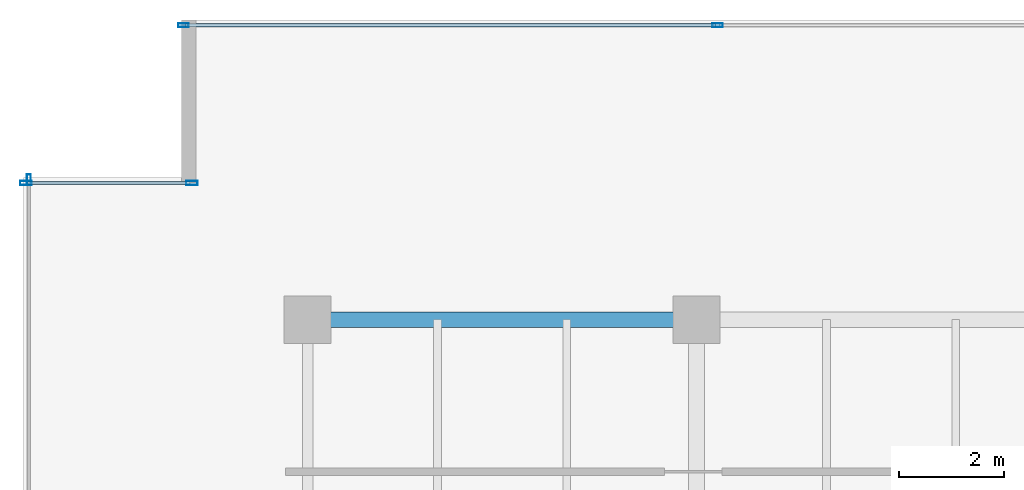
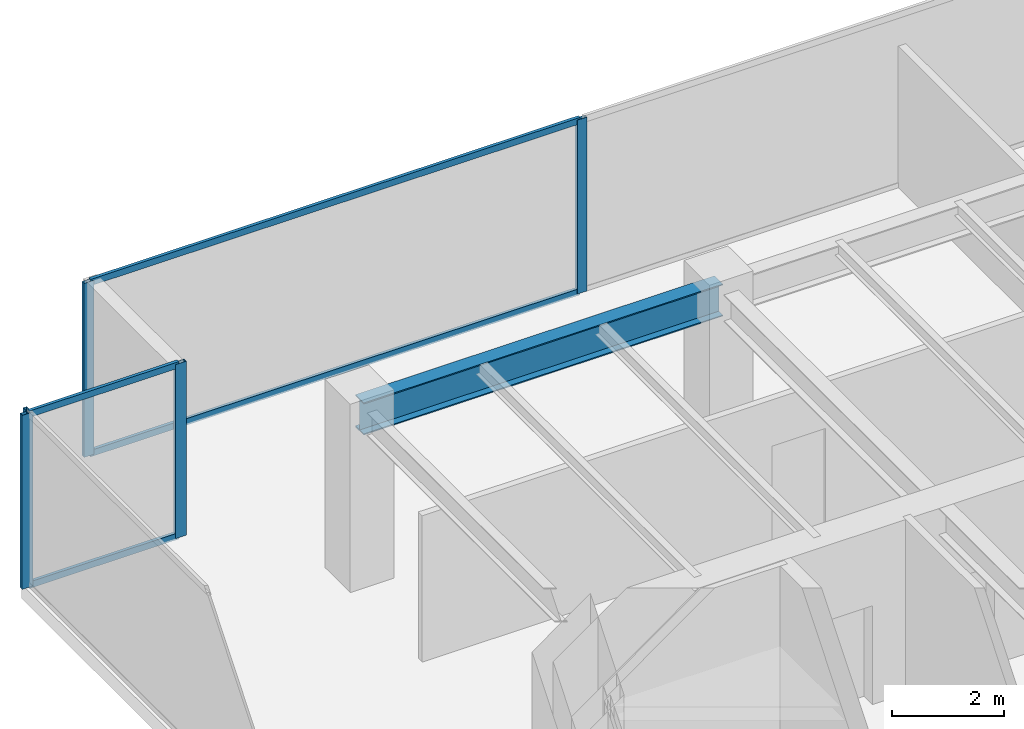
# One storey, part 14 of 30: 9 members, 1 beam, 3 elements without a shape of their own.
"""IFC4 building model written with IfcOpenShell, lengths in metres."""

from ifc_helpers import new_model, si_unit, direction, frame, origin, origin_2d, place, context, subcontext, project, spatial, hollow_rectangle, i_section, extrude, source, transform, mapped, material, layer, layer_set, material_profile, profile_set, type_object, type_shapes, element, aggregate, save


model = new_model("IFC4")

# Units and contexts
model_context = context("Model", 3, precision=1e-05, world=origin(), true_north=direction((0.0, 1.0)))
body_context = subcontext(model_context, "Body", "Model", "MODEL_VIEW")
ifc_project = project(units=[si_unit("LENGTHUNIT", "METRE"), si_unit("AREAUNIT", "SQUARE_METRE"), si_unit("VOLUMEUNIT", "CUBIC_METRE"), si_unit("PLANEANGLEUNIT", "RADIAN"), si_unit("MASSUNIT", "GRAM", prefix="KILO")], contexts=[model_context])

# Site, building, storey
site_placement = place(None, origin())
site = spatial("IfcSite", under=ifc_project, at=site_placement, CompositionType="ELEMENT")
building_placement = place(site_placement, origin())
building = spatial("IfcBuilding", under=site, at=building_placement, Name="Haelvirn Gate Laboratories", CompositionType="ELEMENT")
storey_placement = place(building_placement, frame((0.0, 0.0, 187.10009765625)))
storey = spatial("IfcBuildingStorey", under=building, at=storey_placement, Name="L45", CompositionType="ELEMENT", Elevation=187.10009765625)

# Beam
ifc_material_1 = material(Name="Steel SM355", Category="steel")
ifc_material_profile_1 = material_profile(ifc_material_1, i_section(OverallWidth=0.300048828125, OverallDepth=0.699951171875, WebThickness=0.012939453125, FlangeThickness=0.02392578125, at=origin_2d()), Name="H-700x300x13x24")
ifc_profile_set_1 = profile_set([ifc_material_profile_1], Name="Steel SM355")
beam_type = type_object("IfcBeamType", Name="BM-G-700", PredefinedType="BEAM", material=ifc_profile_set_1)
shared_shape_1 = source(origin(), body_context, "Body", "SweptSolid", [
    extrude(i_section(OverallWidth=0.300048828125, OverallDepth=0.699951171875, WebThickness=0.012939453125, FlangeThickness=0.02392578125, at=origin_2d()), origin(), (0.0, 0.0, 1.0), 7.400146484375),
])
type_shapes(beam_type, [shared_shape_1])
beam_placement = place(storey_placement, frame((7.39990234375, 41.60009765625, 3.43994140625), z_axis=(1.0, 0.0, 0.0), x_axis=(0.0, 1.0, 0.0)))
element("IfcBeam", 1, at=beam_placement, inside=storey, type_object=beam_type, Name="L45 Primary Girder Y41.6 (7.4-14.8)", PredefinedType="BEAM", context=body_context, shape_type="MappedRepresentation", body=[
    mapped(shared_shape_1, transform((0.0, 0.0, 0.0), scale=1.0)),
])

# Curtain wall, members
ifc_material_2 = material(Name="Anodised bronze unitised aluminium & triple low-E glass", Category="aluminium")
ifc_layer_1 = layer(ifc_material_2, 0.179931640625, Name="CW-SYS-3")
ifc_layer_set_1 = layer_set([ifc_layer_1], Name="Anodised bronze unitised aluminium & triple low-E glass")
curtain_wall_type_1 = type_object("IfcCurtainWallType", Name="CW-SYS-3", PredefinedType="NOTDEFINED", material=ifc_layer_set_1)
curtain_wall_1_placement = place(storey_placement, origin())
curtain_wall_1 = element("IfcCurtainWall", 2, at=curtain_wall_1_placement, inside=storey, type_object=curtain_wall_type_1, Name="L45 Unitised Curtain Wall CW-L45-P0-E14-1", PredefinedType="NOTDEFINED")
ifc_material_3 = material(Name="Extruded aluminium 6063-T6 (anodised bronze)", Category="aluminium")
ifc_material_profile_2 = material_profile(ifc_material_3, hollow_rectangle(XDim=0.06494140625, YDim=0.139892578125, WallThickness=0.00390625, at=origin_2d()), Name="CWT-140x65x4")
ifc_profile_set_2 = profile_set([ifc_material_profile_2], Name="Extruded aluminium 6063-T6 (anodised bronze)")
member_type_1 = type_object("IfcMemberType", Name="CWT-T140", PredefinedType="USERDEFINED", material=ifc_profile_set_2)
shared_shape_2 = source(origin(), body_context, "Body", "SweptSolid", [
    extrude(hollow_rectangle(XDim=0.06494140625, YDim=0.139892578125, WallThickness=0.00390625, at=origin_2d()), origin(), (0.0, 0.0, 1.0), 10.087646484375),
])
member_1_placement = place(storey_placement, frame((5.074951171875, 47.199951171875, 0.032470703125), z_axis=(1.0, 0.0, 0.0), x_axis=(0.0, 1.0, 0.0)))
member_1 = element("IfcMember", 3, at=member_1_placement, type_object=member_type_1, Name="CW3 transom 1.1", ObjectType="TRANSOM", PredefinedType="USERDEFINED", context=body_context, shape_type="MappedRepresentation", body=[
    mapped(shared_shape_2, transform((0.0, 0.0, 0.0), scale=1.0)),
])
member_2_placement = place(storey_placement, frame((5.074951171875, 47.199951171875, 3.75732421875), z_axis=(1.0, 0.0, 0.0), x_axis=(0.0, 1.0, 0.0)))
member_2 = element("IfcMember", 4, at=member_2_placement, type_object=member_type_1, Name="CW3 transom 1.2", ObjectType="TRANSOM", PredefinedType="USERDEFINED", context=body_context, shape_type="MappedRepresentation", body=[
    mapped(shared_shape_2, transform((0.0, 0.0, 0.0), scale=1.0)),
])

ifc_layer_2 = layer(ifc_material_2, 0.181884765625, Name="CW-SYS-5")
ifc_layer_set_2 = layer_set([ifc_layer_2], Name="Anodised bronze unitised aluminium & triple low-E glass")
curtain_wall_type_2 = type_object("IfcCurtainWallType", Name="CW-SYS-5", PredefinedType="NOTDEFINED", material=ifc_layer_set_2)
curtain_wall_2_placement = place(storey_placement, origin())
curtain_wall_2 = element("IfcCurtainWall", 5, at=curtain_wall_2_placement, inside=storey, type_object=curtain_wall_type_2, Name="L45 Unitised Curtain Wall CW-L45-P0-E16-1", PredefinedType="NOTDEFINED")
shared_shape_3 = source(origin(), body_context, "Body", "SweptSolid", [
    extrude(hollow_rectangle(XDim=0.06494140625, YDim=0.139892578125, WallThickness=0.00390625, at=origin_2d()), origin(), (0.0, 0.0, 1.0), 3.079833984375),
])
type_shapes(member_type_1, [shared_shape_2, shared_shape_3])
member_3_placement = place(storey_placement, frame((2.080078125, 44.199951171875, 0.032470703125), z_axis=(1.0, 0.0, 0.0), x_axis=(0.0, 1.0, 0.0)))
member_3 = element("IfcMember", 6, at=member_3_placement, type_object=member_type_1, Name="CW5 transom 1.1", ObjectType="TRANSOM", PredefinedType="USERDEFINED", context=body_context, shape_type="MappedRepresentation", body=[
    mapped(shared_shape_3, transform((0.0, 0.0, 0.0), scale=1.0)),
])
member_4_placement = place(storey_placement, frame((2.080078125, 44.199951171875, 3.75732421875), z_axis=(1.0, 0.0, 0.0), x_axis=(0.0, 1.0, 0.0)))
member_4 = element("IfcMember", 7, at=member_4_placement, type_object=member_type_1, Name="CW5 transom 1.2", ObjectType="TRANSOM", PredefinedType="USERDEFINED", context=body_context, shape_type="MappedRepresentation", body=[
    mapped(shared_shape_3, transform((0.0, 0.0, 0.0), scale=1.0)),
])

# Member
ifc_material_profile_3 = material_profile(ifc_material_3, hollow_rectangle(XDim=0.074951171875, YDim=0.199951171875, WallThickness=0.0048828125, at=origin_2d()), Name="CWM-200x75x5")
ifc_profile_set_3 = profile_set([ifc_material_profile_3], Name="Extruded aluminium 6063-T6 (anodised bronze)")
member_type_2 = type_object("IfcMemberType", Name="CWM-T200", PredefinedType="MULLION", material=ifc_profile_set_3)
shared_shape_4 = source(origin(), body_context, "Body", "SweptSolid", [
    extrude(hollow_rectangle(XDim=0.074951171875, YDim=0.199951171875, WallThickness=0.0048828125, at=origin_2d()), origin(), (0.0, 0.0, 1.0), 3.789794921875),
])
type_shapes(member_type_2, [shared_shape_4])
member_5_placement = place(storey_placement, frame((5.03759765625, 47.199951171875, 0.0), z_axis=(0.0, 0.0, 1.0), x_axis=(0.0, 1.0, 0.0)))
member_5 = element("IfcMember", 8, at=member_5_placement, type_object=member_type_2, Name="CW3 mullion 1", PredefinedType="MULLION", context=body_context, shape_type="MappedRepresentation", body=[
    mapped(shared_shape_4, transform((0.0, 0.0, 0.0), scale=1.0)),
])

member_6_placement = place(storey_placement, frame((15.199951171875, 47.199951171875, 0.0), z_axis=(0.0, 0.0, 1.0), x_axis=(0.0, 1.0, 0.0)))
member_6 = element("IfcMember", 9, at=member_6_placement, type_object=member_type_2, Name="CW3 mullion 2", PredefinedType="MULLION", context=body_context, shape_type="MappedRepresentation", body=[
    mapped(shared_shape_4, transform((0.0, 0.0, 0.0), scale=1.0)),
])

aggregate(curtain_wall_1, [member_5, member_6, member_1, member_2])

# Curtain wall, member
curtain_wall_3_placement = place(storey_placement, origin())
curtain_wall_3 = element("IfcCurtainWall", 10, at=curtain_wall_3_placement, inside=storey, type_object=curtain_wall_type_1, Name="L45 Unitised Curtain Wall CW-L45-P0-E17", PredefinedType="NOTDEFINED")
member_7_placement = place(storey_placement, frame((2.10009765625, 44.262451171875, 0.0), z_axis=(0.0, 0.0, 1.0), x_axis=(1.0, 0.0, 0.0)))
member_7 = element("IfcMember", 11, at=member_7_placement, type_object=member_type_2, Name="CW3 mullion 1", PredefinedType="MULLION", context=body_context, shape_type="MappedRepresentation", body=[
    mapped(shared_shape_4, transform((0.0, 0.0, 0.0), scale=1.0)),
])
aggregate(curtain_wall_3, [member_7])

# Member
ifc_material_profile_4 = material_profile(ifc_material_3, hollow_rectangle(XDim=0.080078125, YDim=0.219970703125, WallThickness=0.006103515625, at=origin_2d()), Name="CWM-220x80x6")
ifc_profile_set_4 = profile_set([ifc_material_profile_4], Name="Extruded aluminium 6063-T6 (anodised bronze)")
member_type_3 = type_object("IfcMemberType", Name="CWM-T220", PredefinedType="MULLION", material=ifc_profile_set_4)
shared_shape_5 = source(origin(), body_context, "Body", "SweptSolid", [
    extrude(hollow_rectangle(XDim=0.080078125, YDim=0.219970703125, WallThickness=0.006103515625, at=origin_2d()), origin(), (0.0, 0.0, 1.0), 3.789794921875),
])
type_shapes(member_type_3, [shared_shape_5])
member_8_placement = place(storey_placement, frame((2.0400390625, 44.199951171875, 0.0), z_axis=(0.0, 0.0, 1.0), x_axis=(0.0, 1.0, 0.0)))
member_8 = element("IfcMember", 12, at=member_8_placement, type_object=member_type_3, Name="CW5 mullion 1", PredefinedType="MULLION", context=body_context, shape_type="MappedRepresentation", body=[
    mapped(shared_shape_5, transform((0.0, 0.0, 0.0), scale=1.0)),
])

member_9_placement = place(storey_placement, frame((5.199951171875, 44.199951171875, 0.0), z_axis=(0.0, 0.0, 1.0), x_axis=(0.0, 1.0, 0.0)))
member_9 = element("IfcMember", 13, at=member_9_placement, type_object=member_type_3, Name="CW5 mullion 2", PredefinedType="MULLION", context=body_context, shape_type="MappedRepresentation", body=[
    mapped(shared_shape_5, transform((0.0, 0.0, 0.0), scale=1.0)),
])

aggregate(curtain_wall_2, [member_8, member_9, member_3, member_4])

save(model, "model.ifc")
